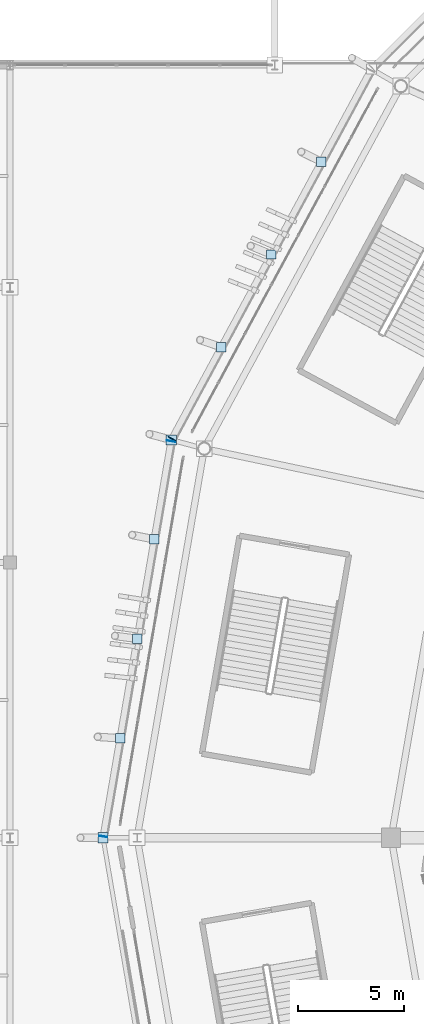
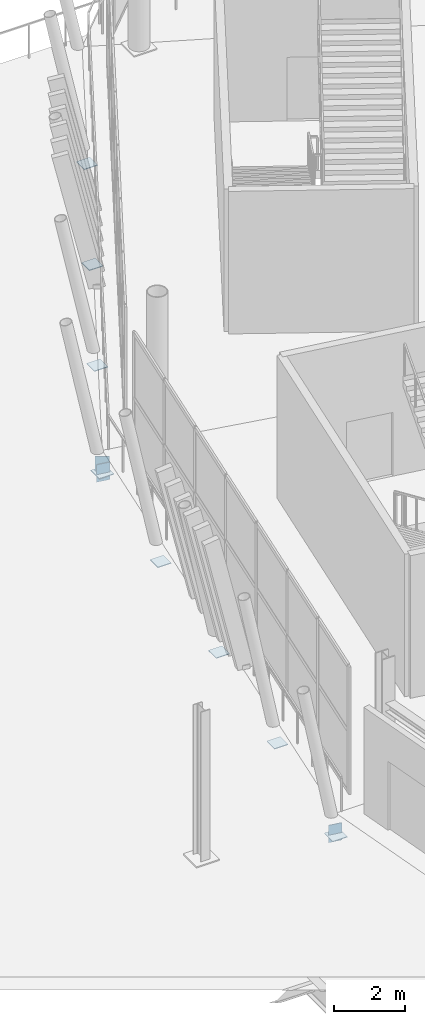
# One storey, part 107 of 178: 11 plates.
"""IFC4 building model written with IfcOpenShell, lengths in metres."""

from ifc_helpers import new_model, si_unit, direction, frame, origin, origin_2d, place, context, subcontext, project, spatial, rectangle, extrude, material, layer, layer_set, type_object, element, save


model = new_model("IFC4")

# Units and contexts
model_context = context("Model", 3, precision=1e-05, world=origin(), true_north=direction((0.0, 1.0)))
body_context = subcontext(model_context, "Body", "Model", "MODEL_VIEW")
ifc_project = project(units=[si_unit("LENGTHUNIT", "METRE"), si_unit("AREAUNIT", "SQUARE_METRE"), si_unit("VOLUMEUNIT", "CUBIC_METRE"), si_unit("PLANEANGLEUNIT", "RADIAN"), si_unit("MASSUNIT", "GRAM", prefix="KILO")], contexts=[model_context])

# Site, building, storey
site_placement = place(None, origin())
site = spatial("IfcSite", under=ifc_project, at=site_placement, CompositionType="ELEMENT")
building_placement = place(site_placement, origin())
building = spatial("IfcBuilding", under=site, at=building_placement, Name="Zlatoyarsky Gate Stadium", CompositionType="ELEMENT")
storey_placement = place(building_placement, frame((0.0, 0.0, 5.39990234375)))
storey = spatial("IfcBuildingStorey", under=building, at=storey_placement, Name="L01", CompositionType="ELEMENT", Elevation=5.39990234375)

# Plates
ifc_material = material(Name="Steel S355", Category="steel")
ifc_layer = layer(ifc_material, 0.02392578125)
ifc_layer_set = layer_set([ifc_layer], Name="Steel S355")
plate_type = type_object("IfcPlateType", Name="STEEL HOLLOW CHORD SPLICE SHEET 24", PredefinedType="SHEET", material=ifc_layer_set)
for number, where, z_axis, x_axis, name in (
    (1, (19.643798828125, 98.84521484375, -0.849853515625), (0.0, 0.0, 1.0), (-0.474957557599, -0.880008703639, 0.0), "Hollow end cap ND-SP1 CAP-L01-SPD-10 B"),
    (2, (19.60498046875, 98.7333984375, -1.010009765625), (0.0, 0.0, 1.0), (-0.169072263446, -0.985603657528, 0.0), "Hollow end cap ND-SP1 CAP-L01-SPD-11 A"),
    (3, (16.401611328125, 80.05908203125, -1.010009765625), (0.0, 0.0, 1.0), (-0.169072263446, -0.985603657528, 0.0), "Hollow end cap ND-SP1 CAP-L01-SPD-11 B"),
):
    element("IfcPlate", number, at=place(storey_placement, frame(where, z_axis=z_axis, x_axis=x_axis)), inside=storey, type_object=plate_type, Name=name, PredefinedType="SHEET", context=body_context, shape_type="SweptSolid", body=[
        extrude(rectangle(XDim=0.02392578125, YDim=0.39990234375, at=origin_2d()), origin(), (0.0, 0.0, 1.0), 0.60009765625),
    ])
for number, where, z_axis, x_axis, name in (
    (4, (19.615234375, 98.79248046875, -0.77197265625), (0.0, 0.0, 1.0), (1.0, 0.0, 0.0), "Node closure plate ND-SP1 NCAP-L01-RSTR-11"),
    (5, (16.3916015625, 80.0, -0.77197265625), (0.0, 0.0, 1.0), (1.0, 0.0, 0.0), "Node closure plate ND-SP1 NCAP-L01-RSTR-12"),
):
    element("IfcPlate", number, at=place(storey_placement, frame(where, z_axis=z_axis, x_axis=x_axis)), inside=storey, type_object=plate_type, Name=name, PredefinedType="SHEET", context=body_context, shape_type="SweptSolid", body=[
        extrude(rectangle(XDim=0.47998046875, YDim=0.47998046875, at=origin_2d()), origin(), (0.0, 0.0, 1.0), 0.02392578125),
    ])
for number, where, z_axis, x_axis, name in (
    (6, (26.70361328125, 111.92626953125, -0.561767578125), (0.0, 0.0, 1.0), (1.0, 0.0, 0.0), "Node closure plate ND-SP1 NCAP-RIB-10-1-0B"),
    (7, (24.3408203125, 107.54833984375, -0.561767578125), (0.0, 0.0, 1.0), (1.0, 0.0, 0.0), "Node closure plate ND-SP1 NCAP-RIB-10-2-0B"),
    (8, (21.97802734375, 103.17041015625, -0.561767578125), (0.0, 0.0, 1.0), (1.0, 0.0, 0.0), "Node closure plate ND-SP1 NCAP-RIB-10-3-0B"),
    (9, (18.809326171875, 94.094482421875, -0.721923828125), (0.0, 0.0, 1.0), (1.0, 0.0, 0.0), "Node closure plate ND-SP1 NCAP-RIB-11-1-0B"),
    (10, (18.00341796875, 89.396240234375, -0.721923828125), (0.0, 0.0, 1.0), (1.0, 0.0, 0.0), "Node closure plate ND-SP1 NCAP-RIB-11-2-0B"),
    (11, (17.197509765625, 84.697998046875, -0.721923828125), (0.0, 0.0, 1.0), (1.0, 0.0, 0.0), "Node closure plate ND-SP1 NCAP-RIB-11-3-0B"),
):
    element("IfcPlate", number, at=place(storey_placement, frame(where, z_axis=z_axis, x_axis=x_axis)), inside=storey, type_object=plate_type, Name=name, PredefinedType="SHEET", context=body_context, shape_type="SweptSolid", body=[
        extrude(rectangle(XDim=0.43994140625, YDim=0.43994140625, at=origin_2d()), origin(), (0.0, 0.0, 1.0), 0.02392578125),
    ])

save(model, "model.ifc")
